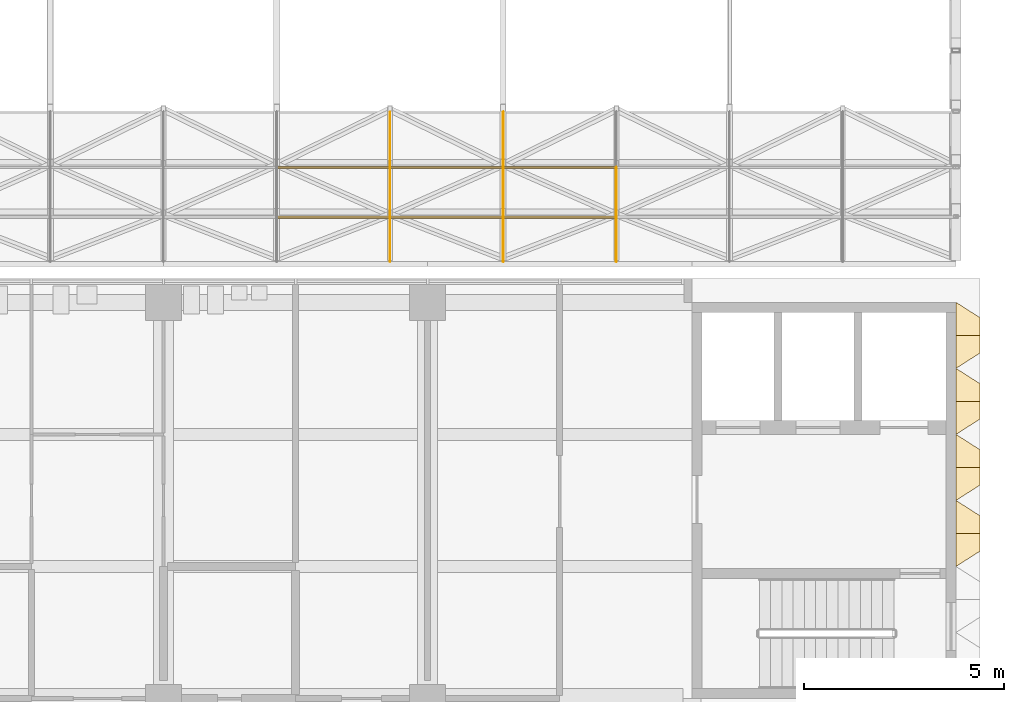
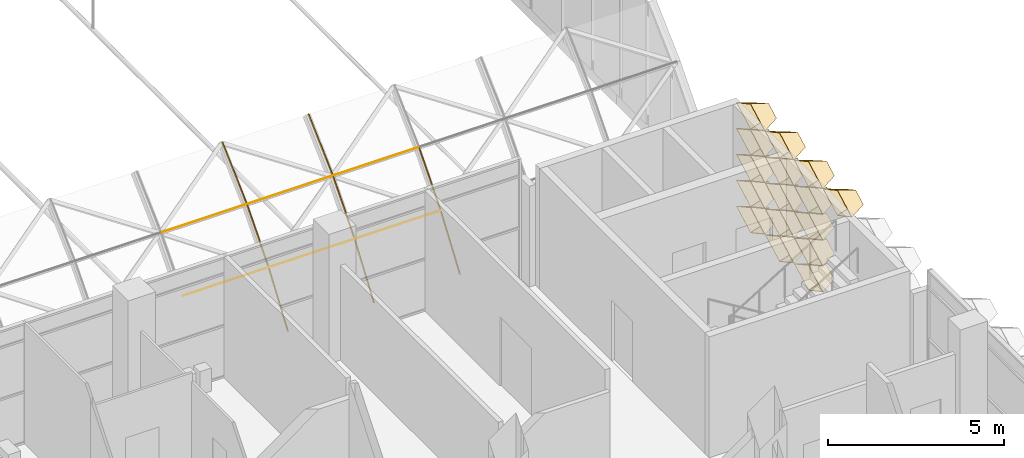
# One storey, part 83 of 109: 30 coverings.
"""IFC4 building model written with IfcOpenShell, lengths in metres."""

import ifcopenshell
import ifcopenshell.guid

model = None  # the IFC model being written
_history = None  # IfcOwnerHistory: only IFC2X3 demands one
_inside = {}  # id of a spatial element -> (the spatial element, [elements in it])
_under = {}  # id of a project, library or spatial element -> (it, [spatial elements below it])
_declared = {}  # id of a project -> (the project, [libraries it declares])
_typed = {}  # id of a type object -> (the type object, [elements of that type])
_made_of = {}  # id of a material, layer set ... -> (it, [elements and type objects made of it])


def new_model(schema):
    """Start an empty IFC model of exactly this schema.

    Asked for "IFC4X3", IfcOpenShell would pick the latest addendum, in which some entities
    have other attributes; the version numbers below select the first issue.
    IFC2X3 requires an IfcOwnerHistory on every rooted entity: one is made here for all.
    """
    global model, _history
    if schema == "IFC4X3":
        model = ifcopenshell.file(schema_version=(4, 3, 0, 0))
    else:
        model = ifcopenshell.file(schema=schema)
    _inside.clear()
    _under.clear()
    _declared.clear()
    _typed.clear()
    _made_of.clear()
    _history = None
    if model.schema == "IFC2X3":
        org = make("IfcOrganization", Name="unknown")
        user = make(
            "IfcPersonAndOrganization",
            ThePerson=make("IfcPerson", FamilyName="unknown"),
            TheOrganization=org,
        )
        app = make(
            "IfcApplication",
            ApplicationDeveloper=org,
            Version="unknown",
            ApplicationFullName="unknown",
            ApplicationIdentifier="unknown",
        )
        _history = make(
            "IfcOwnerHistory",
            OwningUser=user,
            OwningApplication=app,
            ChangeAction="ADDED",
            CreationDate=0,
        )
    return model


def make(cls, **values):
    """One entity of the class cls with the attributes given. An attribute that is None is left unset."""
    return model.create_entity(
        cls, **{name: value for name, value in values.items() if value is not None}
    )


def entity(cls, *values):
    """Any entity or typed value of the class cls, its attributes in the order of the schema. None: left unset."""
    e = model.create_entity(cls)
    for i, value in enumerate(values):
        if value is not None:
            e[i] = value
    return e


def rooted(cls, **values):
    """An entity with a GlobalId (a new one), such as an element, a storey or a relation."""
    return make(cls, GlobalId=ifcopenshell.guid.new(), OwnerHistory=_history, **values)


def si_unit(unit_type, name, prefix=None):
    """IfcSIUnit, for example si_unit("LENGTHUNIT", "METRE", prefix="MILLI")."""
    return make("IfcSIUnit", UnitType=unit_type, Prefix=prefix, Name=name)


def assignment(units):
    """IfcUnitAssignment: the units of a project."""
    return None if units is None else make("IfcUnitAssignment", Units=units)


def point(xyz):
    """IfcCartesianPoint."""
    return None if xyz is None else make("IfcCartesianPoint", Coordinates=xyz)


def direction(xyz):
    """IfcDirection."""
    return None if xyz is None else make("IfcDirection", DirectionRatios=xyz)


def frame(location, z_axis=None, x_axis=None):
    """IfcAxis2Placement3D, a coordinate frame: its origin and axes. An axis left out is left unset."""
    return make(
        "IfcAxis2Placement3D",
        Location=point(location),
        Axis=direction(z_axis),
        RefDirection=direction(x_axis),
    )


def frame_2d(location, x_axis=None):
    """IfcAxis2Placement2D, a coordinate frame in the plane: its origin and x axis."""
    return make(
        "IfcAxis2Placement2D", Location=point(location), RefDirection=direction(x_axis)
    )


def origin():
    """The frame at (0, 0, 0) with its axes left unset."""
    return frame((0.0, 0.0, 0.0))


def origin_2d():
    """The frame at (0, 0) in the plane with its x axis left unset."""
    return frame_2d((0.0, 0.0))


def place(relative_to, where):
    """IfcLocalPlacement: puts the frame where relative to a parent placement (None: the world)."""
    return make(
        "IfcLocalPlacement", PlacementRelTo=relative_to, RelativePlacement=where
    )


def context(
    kind, dimensions, precision=None, world=None, true_north=None, identifier=None
):
    """IfcGeometricRepresentationContext, for example the 3D "Model" context."""
    return make(
        "IfcGeometricRepresentationContext",
        ContextIdentifier=identifier,
        ContextType=kind,
        CoordinateSpaceDimension=dimensions,
        Precision=precision,
        WorldCoordinateSystem=world,
        TrueNorth=true_north,
    )


def subcontext(parent, identifier, kind, view, scale=None):
    """IfcGeometricRepresentationSubContext, for example "Body" below "Model"."""
    return make(
        "IfcGeometricRepresentationSubContext",
        ContextIdentifier=identifier,
        ContextType=kind,
        ParentContext=parent,
        TargetScale=scale,
        TargetView=view,
    )


def project(units=None, contexts=None):
    """IfcProject with its units and contexts."""
    return rooted(
        "IfcProject",
        Name="project",
        RepresentationContexts=contexts,
        UnitsInContext=assignment(units),
    )


def spatial(cls, under=None, at=None, **own):
    """A site, building, storey or space (cls), placed at a placement, below another one or the project."""
    s = rooted(cls, ObjectPlacement=at, **own)
    if under is not None:
        _under.setdefault(under.id(), (under, []))[1].append(s)
    return s


def profile(cls, at=None, kind="AREA", **sizes):
    """A parametric profile (cls). Its sizes go by their IFC names, for example OverallWidth=200.0."""
    return make(cls, ProfileType=kind, Position=at, **sizes)


def rectangle(**sizes):
    """IfcRectangleProfileDef."""
    return profile("IfcRectangleProfileDef", **sizes)


def extrude(swept, where, along, depth):
    """IfcExtrudedAreaSolid: the profile swept, set in the frame where, extruded along a direction by depth."""
    return make(
        "IfcExtrudedAreaSolid",
        SweptArea=swept,
        Position=where,
        ExtrudedDirection=direction(along),
        Depth=depth,
    )


def shape(context_of_items, identifier, shape_type, items):
    """IfcShapeRepresentation: the items that make up one representation, for example the "Body"."""
    return make(
        "IfcShapeRepresentation",
        ContextOfItems=context_of_items,
        RepresentationIdentifier=identifier,
        RepresentationType=shape_type,
        Items=items,
    )


def material(Name=None, Category=None):
    """IfcMaterial."""
    return make("IfcMaterial", Name=Name, Category=Category)


def layer(
    of_material, thickness, ventilated=None, Name=None, Category=None, Priority=None
):
    """IfcMaterialLayer: one layer of a wall or slab, of a material (None: an air gap)."""
    return make(
        "IfcMaterialLayer",
        Material=of_material,
        LayerThickness=thickness,
        IsVentilated=ventilated,
        Name=Name,
        Category=Category,
        Priority=Priority,
    )


def layer_set(layers, Name=None):
    """IfcMaterialLayerSet."""
    return make("IfcMaterialLayerSet", MaterialLayers=layers, LayerSetName=Name)


def material_profile(
    of_material, cross_section, Name=None, Category=None, Priority=None
):
    """IfcMaterialProfile: a cross section and its material."""
    return make(
        "IfcMaterialProfile",
        Name=Name,
        Material=of_material,
        Profile=cross_section,
        Priority=Priority,
        Category=Category,
    )


def profile_set(profiles, Name=None, composite=None):
    """IfcMaterialProfileSet."""
    return make(
        "IfcMaterialProfileSet",
        Name=Name,
        MaterialProfiles=profiles,
        CompositeProfile=composite,
    )


def made_of(thing, what):
    """Note that an element or type object is made of a material, layer set ...; save() writes the relation."""
    if what is not None:
        _made_of.setdefault(what.id(), (what, []))[1].append(thing)
    return thing


def type_object(cls, material=None, **own):
    """A type object (cls), such as IfcWallType, which elements share."""
    return made_of(rooted(cls, **own), material)


def element(
    cls,
    number,
    at=None,
    inside=None,
    cuts=None,
    type_object=None,
    material=None,
    context=None,
    identifier="Body",
    shape_type=None,
    held_by="IfcProductDefinitionShape",
    body=None,
    shapes=None,
    **own,
):
    """One element of the class cls, such as IfcWall. Its Tag is "e" and its number.

    at: its placement. inside: the storey or other place that contains it. cuts: it is an
    opening in that element (IfcRelVoidsElement). A single representation is given by context,
    identifier, shape_type and body (its items); several are given by shapes. held_by: the class
    of the entity that holds the representations. save() writes the other relations.
    """
    e = rooted(cls, Tag="e%d" % number, ObjectPlacement=at, **own)
    if body is not None:
        shapes = [shape(context, identifier, shape_type, body)]
    if shapes is not None:
        e.Representation = make(held_by, Representations=shapes)
    if inside is not None:
        _inside.setdefault(inside.id(), (inside, []))[1].append(e)
    if cuts is not None:
        rooted(
            "IfcRelVoidsElement", RelatingBuildingElement=cuts, RelatedOpeningElement=e
        )
    if type_object is not None:
        _typed.setdefault(type_object.id(), (type_object, []))[1].append(e)
    return made_of(e, material)


def aggregate(whole, parts):
    """IfcRelAggregates: a whole, such as a stair, and the parts it consists of."""
    return rooted("IfcRelAggregates", RelatingObject=whole, RelatedObjects=parts)


def save(model, path):
    """Write the relations noted so far, then the file.

    IfcRelAggregates (storeys below a building ...), IfcRelContainedInSpatialStructure (elements
    in a storey), IfcRelDefinesByType, IfcRelAssociatesMaterial and IfcRelDeclares: one each for
    every whole, place, type object, material and project.
    """
    for whole, parts in _under.values():
        aggregate(whole, parts)
    for where, things in _inside.values():
        rooted(
            "IfcRelContainedInSpatialStructure",
            RelatedElements=things,
            RelatingStructure=where,
        )
    for kind, things in _typed.values():
        rooted("IfcRelDefinesByType", RelatedObjects=things, RelatingType=kind)
    for what, things in _made_of.values():
        rooted("IfcRelAssociatesMaterial", RelatedObjects=things, RelatingMaterial=what)
    for by, libraries in _declared.values():
        rooted("IfcRelDeclares", RelatingContext=by, RelatedDefinitions=libraries)
    model.write(path)


model = new_model("IFC4")

# Units and contexts
model_context = context("Model", 3, precision=1e-05, world=origin(), true_north=direction((0.0, 1.0)))
body_context = subcontext(model_context, "Body", "Model", "MODEL_VIEW")
ifc_project = project(units=[si_unit("LENGTHUNIT", "METRE"), si_unit("AREAUNIT", "SQUARE_METRE"), si_unit("VOLUMEUNIT", "CUBIC_METRE"), si_unit("PLANEANGLEUNIT", "RADIAN"), si_unit("MASSUNIT", "GRAM", prefix="KILO")], contexts=[model_context])

# Site, building, storey
site_placement = place(None, origin())
site = spatial("IfcSite", under=ifc_project, at=site_placement, CompositionType="ELEMENT")
building_placement = place(site_placement, origin())
building = spatial("IfcBuilding", under=site, at=building_placement, Name="Lantern Court Research Institute", CompositionType="ELEMENT")
storey_placement = place(building_placement, frame((0.0, 0.0, 14.39990234375)))
storey = spatial("IfcBuildingStorey", under=building, at=storey_placement, Name="L03", CompositionType="ELEMENT", Elevation=14.39990234375)

# Coverings
ifc_material_1 = material(Name="Anodised aluminium", Category="aluminium")
ifc_layer = layer(ifc_material_1, 0.01611328125)
ifc_layer_set = layer_set([ifc_layer], Name="Anodised aluminium")
covering_type_1 = type_object("IfcCoveringType", Name="Fin cassette 1650 x 900 x 600 aluminium", PredefinedType="CLADDING", material=ifc_layer_set)
covering_1_placement = place(storey_placement, frame((79.199951171875, 18.97509765625, 0.4501953125), z_axis=(1.0, 0.0, 0.0), x_axis=(0.0, 1.0, 0.0)))
cartesian_point_1 = entity("IfcCartesianPoint", [0.824951171875, 0.0])
cartesian_point_2 = entity("IfcCartesianPoint", [0.79150390625, 0.0])
cartesian_point_3 = entity("IfcCartesianPoint", [0.44189453125, 0.0])
cartesian_point_4 = entity("IfcCartesianPoint", [0.43359375, 0.0])
element("IfcCovering", 1, at=covering_1_placement, inside=storey, type_object=covering_type_1, Name="Fin cassette V5E-L03 1.12", PredefinedType="CLADDING", context=body_context, shape_type="SweptSolid", body=[
    entity("IfcExtrudedAreaSolidTapered", entity("IfcArbitraryProfileDefWithVoids", "AREA", None, entity("IfcPolyline", [cartesian_point_1, entity("IfcCartesianPoint", [0.0, 0.449951171875]), entity("IfcCartesianPoint", [-0.824951171875, 0.0]), entity("IfcCartesianPoint", [0.0, -0.449951171875]), cartesian_point_1]), [entity("IfcPolyline", [cartesian_point_2, entity("IfcCartesianPoint", [0.0, 0.431884765625]), entity("IfcCartesianPoint", [-0.79150390625, 0.0]), entity("IfcCartesianPoint", [0.0, -0.431884765625]), cartesian_point_2])]), entity("IfcAxis2Placement3D", entity("IfcCartesianPoint", [0.0, 0.0, 0.0])), entity("IfcDirection", [0.0, 0.0, 1.0]), 0.60009765625, entity("IfcArbitraryProfileDefWithVoids", "AREA", None, entity("IfcPolyline", [cartesian_point_3, entity("IfcCartesianPoint", [0.0, 0.240966796875]), entity("IfcCartesianPoint", [-0.44189453125, 0.0]), entity("IfcCartesianPoint", [0.0, -0.240966796875]), cartesian_point_3]), [entity("IfcPolyline", [cartesian_point_4, entity("IfcCartesianPoint", [0.0, 0.236572265625]), entity("IfcCartesianPoint", [-0.43359375, 0.0]), entity("IfcCartesianPoint", [0.0, -0.236572265625]), cartesian_point_4])])),
])
covering_2_placement = place(storey_placement, frame((79.199951171875, 20.625, 0.4501953125), z_axis=(1.0, 0.0, 0.0), x_axis=(0.0, 1.0, 0.0)))
cartesian_point_5 = entity("IfcCartesianPoint", [0.824951171875, 0.0])
cartesian_point_6 = entity("IfcCartesianPoint", [0.79150390625, 0.0])
cartesian_point_7 = entity("IfcCartesianPoint", [0.44189453125, 0.0])
cartesian_point_8 = entity("IfcCartesianPoint", [0.43359375, 0.0])
element("IfcCovering", 2, at=covering_2_placement, inside=storey, type_object=covering_type_1, Name="Fin cassette V5E-L03 1.13", PredefinedType="CLADDING", context=body_context, shape_type="SweptSolid", body=[
    entity("IfcExtrudedAreaSolidTapered", entity("IfcArbitraryProfileDefWithVoids", "AREA", None, entity("IfcPolyline", [cartesian_point_5, entity("IfcCartesianPoint", [0.0, 0.449951171875]), entity("IfcCartesianPoint", [-0.824951171875, 0.0]), entity("IfcCartesianPoint", [0.0, -0.449951171875]), cartesian_point_5]), [entity("IfcPolyline", [cartesian_point_6, entity("IfcCartesianPoint", [0.0, 0.431884765625]), entity("IfcCartesianPoint", [-0.79150390625, 0.0]), entity("IfcCartesianPoint", [0.0, -0.431884765625]), cartesian_point_6])]), entity("IfcAxis2Placement3D", entity("IfcCartesianPoint", [0.0, 0.0, 0.0])), entity("IfcDirection", [0.0, 0.0, 1.0]), 0.60009765625, entity("IfcArbitraryProfileDefWithVoids", "AREA", None, entity("IfcPolyline", [cartesian_point_7, entity("IfcCartesianPoint", [0.0, 0.240966796875]), entity("IfcCartesianPoint", [-0.44189453125, 0.0]), entity("IfcCartesianPoint", [0.0, -0.240966796875]), cartesian_point_7]), [entity("IfcPolyline", [cartesian_point_8, entity("IfcCartesianPoint", [0.0, 0.236572265625]), entity("IfcCartesianPoint", [-0.43359375, 0.0]), entity("IfcCartesianPoint", [0.0, -0.236572265625]), cartesian_point_8])])),
])
covering_3_placement = place(storey_placement, frame((79.199951171875, 22.27490234375, 0.4501953125), z_axis=(1.0, 0.0, 0.0), x_axis=(0.0, 1.0, 0.0)))
cartesian_point_9 = entity("IfcCartesianPoint", [0.824951171875, 0.0])
cartesian_point_10 = entity("IfcCartesianPoint", [0.79150390625, 0.0])
cartesian_point_11 = entity("IfcCartesianPoint", [0.44189453125, 0.0])
cartesian_point_12 = entity("IfcCartesianPoint", [0.43359375, 0.0])
element("IfcCovering", 3, at=covering_3_placement, inside=storey, type_object=covering_type_1, Name="Fin cassette V5E-L03 1.14", PredefinedType="CLADDING", context=body_context, shape_type="SweptSolid", body=[
    entity("IfcExtrudedAreaSolidTapered", entity("IfcArbitraryProfileDefWithVoids", "AREA", None, entity("IfcPolyline", [cartesian_point_9, entity("IfcCartesianPoint", [0.0, 0.449951171875]), entity("IfcCartesianPoint", [-0.824951171875, 0.0]), entity("IfcCartesianPoint", [0.0, -0.449951171875]), cartesian_point_9]), [entity("IfcPolyline", [cartesian_point_10, entity("IfcCartesianPoint", [0.0, 0.431884765625]), entity("IfcCartesianPoint", [-0.79150390625, 0.0]), entity("IfcCartesianPoint", [0.0, -0.431884765625]), cartesian_point_10])]), entity("IfcAxis2Placement3D", entity("IfcCartesianPoint", [0.0, 0.0, 0.0])), entity("IfcDirection", [0.0, 0.0, 1.0]), 0.60009765625, entity("IfcArbitraryProfileDefWithVoids", "AREA", None, entity("IfcPolyline", [cartesian_point_11, entity("IfcCartesianPoint", [0.0, 0.240966796875]), entity("IfcCartesianPoint", [-0.44189453125, 0.0]), entity("IfcCartesianPoint", [0.0, -0.240966796875]), cartesian_point_11]), [entity("IfcPolyline", [cartesian_point_12, entity("IfcCartesianPoint", [0.0, 0.236572265625]), entity("IfcCartesianPoint", [-0.43359375, 0.0]), entity("IfcCartesianPoint", [0.0, -0.236572265625]), cartesian_point_12])])),
])
covering_4_placement = place(storey_placement, frame((79.199951171875, 18.97509765625, 1.35009765625), z_axis=(1.0, 0.0, 0.0), x_axis=(0.0, 1.0, 0.0)))
cartesian_point_13 = entity("IfcCartesianPoint", [0.824951171875, 0.0])
cartesian_point_14 = entity("IfcCartesianPoint", [0.79150390625, 0.0])
cartesian_point_15 = entity("IfcCartesianPoint", [0.44189453125, 0.0])
cartesian_point_16 = entity("IfcCartesianPoint", [0.43359375, 0.0])
element("IfcCovering", 4, at=covering_4_placement, inside=storey, type_object=covering_type_1, Name="Fin cassette V5E-L03 2.12", PredefinedType="CLADDING", context=body_context, shape_type="SweptSolid", body=[
    entity("IfcExtrudedAreaSolidTapered", entity("IfcArbitraryProfileDefWithVoids", "AREA", None, entity("IfcPolyline", [cartesian_point_13, entity("IfcCartesianPoint", [0.0, 0.449951171875]), entity("IfcCartesianPoint", [-0.824951171875, 0.0]), entity("IfcCartesianPoint", [0.0, -0.449951171875]), cartesian_point_13]), [entity("IfcPolyline", [cartesian_point_14, entity("IfcCartesianPoint", [0.0, 0.431884765625]), entity("IfcCartesianPoint", [-0.79150390625, 0.0]), entity("IfcCartesianPoint", [0.0, -0.431884765625]), cartesian_point_14])]), entity("IfcAxis2Placement3D", entity("IfcCartesianPoint", [0.0, 0.0, 0.0])), entity("IfcDirection", [0.0, 0.0, 1.0]), 0.60009765625, entity("IfcArbitraryProfileDefWithVoids", "AREA", None, entity("IfcPolyline", [cartesian_point_15, entity("IfcCartesianPoint", [0.0, 0.240966796875]), entity("IfcCartesianPoint", [-0.44189453125, 0.0]), entity("IfcCartesianPoint", [0.0, -0.240966796875]), cartesian_point_15]), [entity("IfcPolyline", [cartesian_point_16, entity("IfcCartesianPoint", [0.0, 0.236572265625]), entity("IfcCartesianPoint", [-0.43359375, 0.0]), entity("IfcCartesianPoint", [0.0, -0.236572265625]), cartesian_point_16])])),
])
covering_5_placement = place(storey_placement, frame((79.199951171875, 20.625, 1.35009765625), z_axis=(1.0, 0.0, 0.0), x_axis=(0.0, 1.0, 0.0)))
cartesian_point_17 = entity("IfcCartesianPoint", [0.824951171875, 0.0])
cartesian_point_18 = entity("IfcCartesianPoint", [0.79150390625, 0.0])
cartesian_point_19 = entity("IfcCartesianPoint", [0.44189453125, 0.0])
cartesian_point_20 = entity("IfcCartesianPoint", [0.43359375, 0.0])
element("IfcCovering", 5, at=covering_5_placement, inside=storey, type_object=covering_type_1, Name="Fin cassette V5E-L03 2.13", PredefinedType="CLADDING", context=body_context, shape_type="SweptSolid", body=[
    entity("IfcExtrudedAreaSolidTapered", entity("IfcArbitraryProfileDefWithVoids", "AREA", None, entity("IfcPolyline", [cartesian_point_17, entity("IfcCartesianPoint", [0.0, 0.449951171875]), entity("IfcCartesianPoint", [-0.824951171875, 0.0]), entity("IfcCartesianPoint", [0.0, -0.449951171875]), cartesian_point_17]), [entity("IfcPolyline", [cartesian_point_18, entity("IfcCartesianPoint", [0.0, 0.431884765625]), entity("IfcCartesianPoint", [-0.79150390625, 0.0]), entity("IfcCartesianPoint", [0.0, -0.431884765625]), cartesian_point_18])]), entity("IfcAxis2Placement3D", entity("IfcCartesianPoint", [0.0, 0.0, 0.0])), entity("IfcDirection", [0.0, 0.0, 1.0]), 0.60009765625, entity("IfcArbitraryProfileDefWithVoids", "AREA", None, entity("IfcPolyline", [cartesian_point_19, entity("IfcCartesianPoint", [0.0, 0.240966796875]), entity("IfcCartesianPoint", [-0.44189453125, 0.0]), entity("IfcCartesianPoint", [0.0, -0.240966796875]), cartesian_point_19]), [entity("IfcPolyline", [cartesian_point_20, entity("IfcCartesianPoint", [0.0, 0.236572265625]), entity("IfcCartesianPoint", [-0.43359375, 0.0]), entity("IfcCartesianPoint", [0.0, -0.236572265625]), cartesian_point_20])])),
])
covering_6_placement = place(storey_placement, frame((79.199951171875, 22.27490234375, 1.35009765625), z_axis=(1.0, 0.0, 0.0), x_axis=(0.0, 1.0, 0.0)))
cartesian_point_21 = entity("IfcCartesianPoint", [0.824951171875, 0.0])
cartesian_point_22 = entity("IfcCartesianPoint", [0.79150390625, 0.0])
cartesian_point_23 = entity("IfcCartesianPoint", [0.44189453125, 0.0])
cartesian_point_24 = entity("IfcCartesianPoint", [0.43359375, 0.0])
element("IfcCovering", 6, at=covering_6_placement, inside=storey, type_object=covering_type_1, Name="Fin cassette V5E-L03 2.14", PredefinedType="CLADDING", context=body_context, shape_type="SweptSolid", body=[
    entity("IfcExtrudedAreaSolidTapered", entity("IfcArbitraryProfileDefWithVoids", "AREA", None, entity("IfcPolyline", [cartesian_point_21, entity("IfcCartesianPoint", [0.0, 0.449951171875]), entity("IfcCartesianPoint", [-0.824951171875, 0.0]), entity("IfcCartesianPoint", [0.0, -0.449951171875]), cartesian_point_21]), [entity("IfcPolyline", [cartesian_point_22, entity("IfcCartesianPoint", [0.0, 0.431884765625]), entity("IfcCartesianPoint", [-0.79150390625, 0.0]), entity("IfcCartesianPoint", [0.0, -0.431884765625]), cartesian_point_22])]), entity("IfcAxis2Placement3D", entity("IfcCartesianPoint", [0.0, 0.0, 0.0])), entity("IfcDirection", [0.0, 0.0, 1.0]), 0.60009765625, entity("IfcArbitraryProfileDefWithVoids", "AREA", None, entity("IfcPolyline", [cartesian_point_23, entity("IfcCartesianPoint", [0.0, 0.240966796875]), entity("IfcCartesianPoint", [-0.44189453125, 0.0]), entity("IfcCartesianPoint", [0.0, -0.240966796875]), cartesian_point_23]), [entity("IfcPolyline", [cartesian_point_24, entity("IfcCartesianPoint", [0.0, 0.236572265625]), entity("IfcCartesianPoint", [-0.43359375, 0.0]), entity("IfcCartesianPoint", [0.0, -0.236572265625]), cartesian_point_24])])),
])
covering_7_placement = place(storey_placement, frame((79.199951171875, 18.97509765625, 2.25), z_axis=(1.0, 0.0, 0.0), x_axis=(0.0, 1.0, 0.0)))
cartesian_point_25 = entity("IfcCartesianPoint", [0.824951171875, 0.0])
cartesian_point_26 = entity("IfcCartesianPoint", [0.79150390625, 0.0])
cartesian_point_27 = entity("IfcCartesianPoint", [0.44189453125, 0.0])
cartesian_point_28 = entity("IfcCartesianPoint", [0.43359375, 0.0])
element("IfcCovering", 7, at=covering_7_placement, inside=storey, type_object=covering_type_1, Name="Fin cassette V5E-L03 3.12", PredefinedType="CLADDING", context=body_context, shape_type="SweptSolid", body=[
    entity("IfcExtrudedAreaSolidTapered", entity("IfcArbitraryProfileDefWithVoids", "AREA", None, entity("IfcPolyline", [cartesian_point_25, entity("IfcCartesianPoint", [0.0, 0.449951171875]), entity("IfcCartesianPoint", [-0.824951171875, 0.0]), entity("IfcCartesianPoint", [0.0, -0.449951171875]), cartesian_point_25]), [entity("IfcPolyline", [cartesian_point_26, entity("IfcCartesianPoint", [0.0, 0.431884765625]), entity("IfcCartesianPoint", [-0.79150390625, 0.0]), entity("IfcCartesianPoint", [0.0, -0.431884765625]), cartesian_point_26])]), entity("IfcAxis2Placement3D", entity("IfcCartesianPoint", [0.0, 0.0, 0.0])), entity("IfcDirection", [0.0, 0.0, 1.0]), 0.60009765625, entity("IfcArbitraryProfileDefWithVoids", "AREA", None, entity("IfcPolyline", [cartesian_point_27, entity("IfcCartesianPoint", [0.0, 0.240966796875]), entity("IfcCartesianPoint", [-0.44189453125, 0.0]), entity("IfcCartesianPoint", [0.0, -0.240966796875]), cartesian_point_27]), [entity("IfcPolyline", [cartesian_point_28, entity("IfcCartesianPoint", [0.0, 0.236572265625]), entity("IfcCartesianPoint", [-0.43359375, 0.0]), entity("IfcCartesianPoint", [0.0, -0.236572265625]), cartesian_point_28])])),
])
covering_8_placement = place(storey_placement, frame((79.199951171875, 20.625, 2.25), z_axis=(1.0, 0.0, 0.0), x_axis=(0.0, 1.0, 0.0)))
cartesian_point_29 = entity("IfcCartesianPoint", [0.824951171875, 0.0])
cartesian_point_30 = entity("IfcCartesianPoint", [0.79150390625, 0.0])
cartesian_point_31 = entity("IfcCartesianPoint", [0.44189453125, 0.0])
cartesian_point_32 = entity("IfcCartesianPoint", [0.43359375, 0.0])
element("IfcCovering", 8, at=covering_8_placement, inside=storey, type_object=covering_type_1, Name="Fin cassette V5E-L03 3.13", PredefinedType="CLADDING", context=body_context, shape_type="SweptSolid", body=[
    entity("IfcExtrudedAreaSolidTapered", entity("IfcArbitraryProfileDefWithVoids", "AREA", None, entity("IfcPolyline", [cartesian_point_29, entity("IfcCartesianPoint", [0.0, 0.449951171875]), entity("IfcCartesianPoint", [-0.824951171875, 0.0]), entity("IfcCartesianPoint", [0.0, -0.449951171875]), cartesian_point_29]), [entity("IfcPolyline", [cartesian_point_30, entity("IfcCartesianPoint", [0.0, 0.431884765625]), entity("IfcCartesianPoint", [-0.79150390625, 0.0]), entity("IfcCartesianPoint", [0.0, -0.431884765625]), cartesian_point_30])]), entity("IfcAxis2Placement3D", entity("IfcCartesianPoint", [0.0, 0.0, 0.0])), entity("IfcDirection", [0.0, 0.0, 1.0]), 0.60009765625, entity("IfcArbitraryProfileDefWithVoids", "AREA", None, entity("IfcPolyline", [cartesian_point_31, entity("IfcCartesianPoint", [0.0, 0.240966796875]), entity("IfcCartesianPoint", [-0.44189453125, 0.0]), entity("IfcCartesianPoint", [0.0, -0.240966796875]), cartesian_point_31]), [entity("IfcPolyline", [cartesian_point_32, entity("IfcCartesianPoint", [0.0, 0.236572265625]), entity("IfcCartesianPoint", [-0.43359375, 0.0]), entity("IfcCartesianPoint", [0.0, -0.236572265625]), cartesian_point_32])])),
])
covering_9_placement = place(storey_placement, frame((79.199951171875, 22.27490234375, 2.25), z_axis=(1.0, 0.0, 0.0), x_axis=(0.0, 1.0, 0.0)))
cartesian_point_33 = entity("IfcCartesianPoint", [0.824951171875, 0.0])
cartesian_point_34 = entity("IfcCartesianPoint", [0.79150390625, 0.0])
cartesian_point_35 = entity("IfcCartesianPoint", [0.44189453125, 0.0])
cartesian_point_36 = entity("IfcCartesianPoint", [0.43359375, 0.0])
element("IfcCovering", 9, at=covering_9_placement, inside=storey, type_object=covering_type_1, Name="Fin cassette V5E-L03 3.14", PredefinedType="CLADDING", context=body_context, shape_type="SweptSolid", body=[
    entity("IfcExtrudedAreaSolidTapered", entity("IfcArbitraryProfileDefWithVoids", "AREA", None, entity("IfcPolyline", [cartesian_point_33, entity("IfcCartesianPoint", [0.0, 0.449951171875]), entity("IfcCartesianPoint", [-0.824951171875, 0.0]), entity("IfcCartesianPoint", [0.0, -0.449951171875]), cartesian_point_33]), [entity("IfcPolyline", [cartesian_point_34, entity("IfcCartesianPoint", [0.0, 0.431884765625]), entity("IfcCartesianPoint", [-0.79150390625, 0.0]), entity("IfcCartesianPoint", [0.0, -0.431884765625]), cartesian_point_34])]), entity("IfcAxis2Placement3D", entity("IfcCartesianPoint", [0.0, 0.0, 0.0])), entity("IfcDirection", [0.0, 0.0, 1.0]), 0.60009765625, entity("IfcArbitraryProfileDefWithVoids", "AREA", None, entity("IfcPolyline", [cartesian_point_35, entity("IfcCartesianPoint", [0.0, 0.240966796875]), entity("IfcCartesianPoint", [-0.44189453125, 0.0]), entity("IfcCartesianPoint", [0.0, -0.240966796875]), cartesian_point_35]), [entity("IfcPolyline", [cartesian_point_36, entity("IfcCartesianPoint", [0.0, 0.236572265625]), entity("IfcCartesianPoint", [-0.43359375, 0.0]), entity("IfcCartesianPoint", [0.0, -0.236572265625]), cartesian_point_36])])),
])
covering_10_placement = place(storey_placement, frame((79.199951171875, 18.97509765625, 3.150146484375), z_axis=(1.0, 0.0, 0.0), x_axis=(0.0, 1.0, 0.0)))
cartesian_point_37 = entity("IfcCartesianPoint", [0.824951171875, 0.0])
cartesian_point_38 = entity("IfcCartesianPoint", [0.79150390625, 0.0])
cartesian_point_39 = entity("IfcCartesianPoint", [0.44189453125, 0.0])
cartesian_point_40 = entity("IfcCartesianPoint", [0.43359375, 0.0])
element("IfcCovering", 10, at=covering_10_placement, inside=storey, type_object=covering_type_1, Name="Fin cassette V5E-L03 4.12", PredefinedType="CLADDING", context=body_context, shape_type="SweptSolid", body=[
    entity("IfcExtrudedAreaSolidTapered", entity("IfcArbitraryProfileDefWithVoids", "AREA", None, entity("IfcPolyline", [cartesian_point_37, entity("IfcCartesianPoint", [0.0, 0.449951171875]), entity("IfcCartesianPoint", [-0.824951171875, 0.0]), entity("IfcCartesianPoint", [0.0, -0.449951171875]), cartesian_point_37]), [entity("IfcPolyline", [cartesian_point_38, entity("IfcCartesianPoint", [0.0, 0.431884765625]), entity("IfcCartesianPoint", [-0.79150390625, 0.0]), entity("IfcCartesianPoint", [0.0, -0.431884765625]), cartesian_point_38])]), entity("IfcAxis2Placement3D", entity("IfcCartesianPoint", [0.0, 0.0, 0.0])), entity("IfcDirection", [0.0, 0.0, 1.0]), 0.60009765625, entity("IfcArbitraryProfileDefWithVoids", "AREA", None, entity("IfcPolyline", [cartesian_point_39, entity("IfcCartesianPoint", [0.0, 0.240966796875]), entity("IfcCartesianPoint", [-0.44189453125, 0.0]), entity("IfcCartesianPoint", [0.0, -0.240966796875]), cartesian_point_39]), [entity("IfcPolyline", [cartesian_point_40, entity("IfcCartesianPoint", [0.0, 0.236572265625]), entity("IfcCartesianPoint", [-0.43359375, 0.0]), entity("IfcCartesianPoint", [0.0, -0.236572265625]), cartesian_point_40])])),
])
covering_11_placement = place(storey_placement, frame((79.199951171875, 20.625, 3.150146484375), z_axis=(1.0, 0.0, 0.0), x_axis=(0.0, 1.0, 0.0)))
cartesian_point_41 = entity("IfcCartesianPoint", [0.824951171875, 0.0])
cartesian_point_42 = entity("IfcCartesianPoint", [0.79150390625, 0.0])
cartesian_point_43 = entity("IfcCartesianPoint", [0.44189453125, 0.0])
cartesian_point_44 = entity("IfcCartesianPoint", [0.43359375, 0.0])
element("IfcCovering", 11, at=covering_11_placement, inside=storey, type_object=covering_type_1, Name="Fin cassette V5E-L03 4.13", PredefinedType="CLADDING", context=body_context, shape_type="SweptSolid", body=[
    entity("IfcExtrudedAreaSolidTapered", entity("IfcArbitraryProfileDefWithVoids", "AREA", None, entity("IfcPolyline", [cartesian_point_41, entity("IfcCartesianPoint", [0.0, 0.449951171875]), entity("IfcCartesianPoint", [-0.824951171875, 0.0]), entity("IfcCartesianPoint", [0.0, -0.449951171875]), cartesian_point_41]), [entity("IfcPolyline", [cartesian_point_42, entity("IfcCartesianPoint", [0.0, 0.431884765625]), entity("IfcCartesianPoint", [-0.79150390625, 0.0]), entity("IfcCartesianPoint", [0.0, -0.431884765625]), cartesian_point_42])]), entity("IfcAxis2Placement3D", entity("IfcCartesianPoint", [0.0, 0.0, 0.0])), entity("IfcDirection", [0.0, 0.0, 1.0]), 0.60009765625, entity("IfcArbitraryProfileDefWithVoids", "AREA", None, entity("IfcPolyline", [cartesian_point_43, entity("IfcCartesianPoint", [0.0, 0.240966796875]), entity("IfcCartesianPoint", [-0.44189453125, 0.0]), entity("IfcCartesianPoint", [0.0, -0.240966796875]), cartesian_point_43]), [entity("IfcPolyline", [cartesian_point_44, entity("IfcCartesianPoint", [0.0, 0.236572265625]), entity("IfcCartesianPoint", [-0.43359375, 0.0]), entity("IfcCartesianPoint", [0.0, -0.236572265625]), cartesian_point_44])])),
])
covering_12_placement = place(storey_placement, frame((79.199951171875, 22.27490234375, 3.150146484375), z_axis=(1.0, 0.0, 0.0), x_axis=(0.0, 1.0, 0.0)))
cartesian_point_45 = entity("IfcCartesianPoint", [0.824951171875, 0.0])
cartesian_point_46 = entity("IfcCartesianPoint", [0.79150390625, 0.0])
cartesian_point_47 = entity("IfcCartesianPoint", [0.44189453125, 0.0])
cartesian_point_48 = entity("IfcCartesianPoint", [0.43359375, 0.0])
element("IfcCovering", 12, at=covering_12_placement, inside=storey, type_object=covering_type_1, Name="Fin cassette V5E-L03 4.14", PredefinedType="CLADDING", context=body_context, shape_type="SweptSolid", body=[
    entity("IfcExtrudedAreaSolidTapered", entity("IfcArbitraryProfileDefWithVoids", "AREA", None, entity("IfcPolyline", [cartesian_point_45, entity("IfcCartesianPoint", [0.0, 0.449951171875]), entity("IfcCartesianPoint", [-0.824951171875, 0.0]), entity("IfcCartesianPoint", [0.0, -0.449951171875]), cartesian_point_45]), [entity("IfcPolyline", [cartesian_point_46, entity("IfcCartesianPoint", [0.0, 0.431884765625]), entity("IfcCartesianPoint", [-0.79150390625, 0.0]), entity("IfcCartesianPoint", [0.0, -0.431884765625]), cartesian_point_46])]), entity("IfcAxis2Placement3D", entity("IfcCartesianPoint", [0.0, 0.0, 0.0])), entity("IfcDirection", [0.0, 0.0, 1.0]), 0.60009765625, entity("IfcArbitraryProfileDefWithVoids", "AREA", None, entity("IfcPolyline", [cartesian_point_47, entity("IfcCartesianPoint", [0.0, 0.240966796875]), entity("IfcCartesianPoint", [-0.44189453125, 0.0]), entity("IfcCartesianPoint", [0.0, -0.240966796875]), cartesian_point_47]), [entity("IfcPolyline", [cartesian_point_48, entity("IfcCartesianPoint", [0.0, 0.236572265625]), entity("IfcCartesianPoint", [-0.43359375, 0.0]), entity("IfcCartesianPoint", [0.0, -0.236572265625]), cartesian_point_48])])),
])
covering_13_placement = place(storey_placement, frame((79.199951171875, 17.324951171875, 4.050048828125), z_axis=(1.0, 0.0, 0.0), x_axis=(0.0, 1.0, 0.0)))
cartesian_point_49 = entity("IfcCartesianPoint", [0.824951171875, 0.0])
cartesian_point_50 = entity("IfcCartesianPoint", [0.79150390625, 0.0])
cartesian_point_51 = entity("IfcCartesianPoint", [0.44189453125, 0.0])
cartesian_point_52 = entity("IfcCartesianPoint", [0.43359375, 0.0])
element("IfcCovering", 13, at=covering_13_placement, inside=storey, type_object=covering_type_1, Name="Fin cassette V5E-L03 5.11", PredefinedType="CLADDING", context=body_context, shape_type="SweptSolid", body=[
    entity("IfcExtrudedAreaSolidTapered", entity("IfcArbitraryProfileDefWithVoids", "AREA", None, entity("IfcPolyline", [cartesian_point_49, entity("IfcCartesianPoint", [0.0, 0.449951171875]), entity("IfcCartesianPoint", [-0.824951171875, 0.0]), entity("IfcCartesianPoint", [0.0, -0.449951171875]), cartesian_point_49]), [entity("IfcPolyline", [cartesian_point_50, entity("IfcCartesianPoint", [0.0, 0.431884765625]), entity("IfcCartesianPoint", [-0.79150390625, 0.0]), entity("IfcCartesianPoint", [0.0, -0.431884765625]), cartesian_point_50])]), entity("IfcAxis2Placement3D", entity("IfcCartesianPoint", [0.0, 0.0, 0.0])), entity("IfcDirection", [0.0, 0.0, 1.0]), 0.60009765625, entity("IfcArbitraryProfileDefWithVoids", "AREA", None, entity("IfcPolyline", [cartesian_point_51, entity("IfcCartesianPoint", [0.0, 0.240966796875]), entity("IfcCartesianPoint", [-0.44189453125, 0.0]), entity("IfcCartesianPoint", [0.0, -0.240966796875]), cartesian_point_51]), [entity("IfcPolyline", [cartesian_point_52, entity("IfcCartesianPoint", [0.0, 0.236572265625]), entity("IfcCartesianPoint", [-0.43359375, 0.0]), entity("IfcCartesianPoint", [0.0, -0.236572265625]), cartesian_point_52])])),
])
covering_14_placement = place(storey_placement, frame((79.199951171875, 18.97509765625, 4.050048828125), z_axis=(1.0, 0.0, 0.0), x_axis=(0.0, 1.0, 0.0)))
cartesian_point_53 = entity("IfcCartesianPoint", [0.824951171875, 0.0])
cartesian_point_54 = entity("IfcCartesianPoint", [0.79150390625, 0.0])
cartesian_point_55 = entity("IfcCartesianPoint", [0.44189453125, 0.0])
cartesian_point_56 = entity("IfcCartesianPoint", [0.43359375, 0.0])
element("IfcCovering", 14, at=covering_14_placement, inside=storey, type_object=covering_type_1, Name="Fin cassette V5E-L03 5.12", PredefinedType="CLADDING", context=body_context, shape_type="SweptSolid", body=[
    entity("IfcExtrudedAreaSolidTapered", entity("IfcArbitraryProfileDefWithVoids", "AREA", None, entity("IfcPolyline", [cartesian_point_53, entity("IfcCartesianPoint", [0.0, 0.449951171875]), entity("IfcCartesianPoint", [-0.824951171875, 0.0]), entity("IfcCartesianPoint", [0.0, -0.449951171875]), cartesian_point_53]), [entity("IfcPolyline", [cartesian_point_54, entity("IfcCartesianPoint", [0.0, 0.431884765625]), entity("IfcCartesianPoint", [-0.79150390625, 0.0]), entity("IfcCartesianPoint", [0.0, -0.431884765625]), cartesian_point_54])]), entity("IfcAxis2Placement3D", entity("IfcCartesianPoint", [0.0, 0.0, 0.0])), entity("IfcDirection", [0.0, 0.0, 1.0]), 0.60009765625, entity("IfcArbitraryProfileDefWithVoids", "AREA", None, entity("IfcPolyline", [cartesian_point_55, entity("IfcCartesianPoint", [0.0, 0.240966796875]), entity("IfcCartesianPoint", [-0.44189453125, 0.0]), entity("IfcCartesianPoint", [0.0, -0.240966796875]), cartesian_point_55]), [entity("IfcPolyline", [cartesian_point_56, entity("IfcCartesianPoint", [0.0, 0.236572265625]), entity("IfcCartesianPoint", [-0.43359375, 0.0]), entity("IfcCartesianPoint", [0.0, -0.236572265625]), cartesian_point_56])])),
])
covering_15_placement = place(storey_placement, frame((79.199951171875, 20.625, 4.050048828125), z_axis=(1.0, 0.0, 0.0), x_axis=(0.0, 1.0, 0.0)))
cartesian_point_57 = entity("IfcCartesianPoint", [0.824951171875, 0.0])
cartesian_point_58 = entity("IfcCartesianPoint", [0.79150390625, 0.0])
cartesian_point_59 = entity("IfcCartesianPoint", [0.44189453125, 0.0])
cartesian_point_60 = entity("IfcCartesianPoint", [0.43359375, 0.0])
element("IfcCovering", 15, at=covering_15_placement, inside=storey, type_object=covering_type_1, Name="Fin cassette V5E-L03 5.13", PredefinedType="CLADDING", context=body_context, shape_type="SweptSolid", body=[
    entity("IfcExtrudedAreaSolidTapered", entity("IfcArbitraryProfileDefWithVoids", "AREA", None, entity("IfcPolyline", [cartesian_point_57, entity("IfcCartesianPoint", [0.0, 0.449951171875]), entity("IfcCartesianPoint", [-0.824951171875, 0.0]), entity("IfcCartesianPoint", [0.0, -0.449951171875]), cartesian_point_57]), [entity("IfcPolyline", [cartesian_point_58, entity("IfcCartesianPoint", [0.0, 0.431884765625]), entity("IfcCartesianPoint", [-0.79150390625, 0.0]), entity("IfcCartesianPoint", [0.0, -0.431884765625]), cartesian_point_58])]), entity("IfcAxis2Placement3D", entity("IfcCartesianPoint", [0.0, 0.0, 0.0])), entity("IfcDirection", [0.0, 0.0, 1.0]), 0.60009765625, entity("IfcArbitraryProfileDefWithVoids", "AREA", None, entity("IfcPolyline", [cartesian_point_59, entity("IfcCartesianPoint", [0.0, 0.240966796875]), entity("IfcCartesianPoint", [-0.44189453125, 0.0]), entity("IfcCartesianPoint", [0.0, -0.240966796875]), cartesian_point_59]), [entity("IfcPolyline", [cartesian_point_60, entity("IfcCartesianPoint", [0.0, 0.236572265625]), entity("IfcCartesianPoint", [-0.43359375, 0.0]), entity("IfcCartesianPoint", [0.0, -0.236572265625]), cartesian_point_60])])),
])
covering_16_placement = place(storey_placement, frame((79.199951171875, 22.27490234375, 4.050048828125), z_axis=(1.0, 0.0, 0.0), x_axis=(0.0, 1.0, 0.0)))
cartesian_point_61 = entity("IfcCartesianPoint", [0.824951171875, 0.0])
cartesian_point_62 = entity("IfcCartesianPoint", [0.79150390625, 0.0])
cartesian_point_63 = entity("IfcCartesianPoint", [0.44189453125, 0.0])
cartesian_point_64 = entity("IfcCartesianPoint", [0.43359375, 0.0])
element("IfcCovering", 16, at=covering_16_placement, inside=storey, type_object=covering_type_1, Name="Fin cassette V5E-L03 5.14", PredefinedType="CLADDING", context=body_context, shape_type="SweptSolid", body=[
    entity("IfcExtrudedAreaSolidTapered", entity("IfcArbitraryProfileDefWithVoids", "AREA", None, entity("IfcPolyline", [cartesian_point_61, entity("IfcCartesianPoint", [0.0, 0.449951171875]), entity("IfcCartesianPoint", [-0.824951171875, 0.0]), entity("IfcCartesianPoint", [0.0, -0.449951171875]), cartesian_point_61]), [entity("IfcPolyline", [cartesian_point_62, entity("IfcCartesianPoint", [0.0, 0.431884765625]), entity("IfcCartesianPoint", [-0.79150390625, 0.0]), entity("IfcCartesianPoint", [0.0, -0.431884765625]), cartesian_point_62])]), entity("IfcAxis2Placement3D", entity("IfcCartesianPoint", [0.0, 0.0, 0.0])), entity("IfcDirection", [0.0, 0.0, 1.0]), 0.60009765625, entity("IfcArbitraryProfileDefWithVoids", "AREA", None, entity("IfcPolyline", [cartesian_point_63, entity("IfcCartesianPoint", [0.0, 0.240966796875]), entity("IfcCartesianPoint", [-0.44189453125, 0.0]), entity("IfcCartesianPoint", [0.0, -0.240966796875]), cartesian_point_63]), [entity("IfcPolyline", [cartesian_point_64, entity("IfcCartesianPoint", [0.0, 0.236572265625]), entity("IfcCartesianPoint", [-0.43359375, 0.0]), entity("IfcCartesianPoint", [0.0, -0.236572265625]), cartesian_point_64])])),
])
ifc_material_2 = material(Name="Aluminium alloy 6063-T6", Category="aluminium")
ifc_material_profile = material_profile(ifc_material_2, rectangle(XDim=0.01806640625, YDim=0.052001953125, at=origin_2d()), Name="Joint cover bar 18 x 52")
ifc_profile_set = profile_set([ifc_material_profile], Name="Aluminium alloy 6063-T6")
covering_type_2 = type_object("IfcCoveringType", Name="Joint cover bar 18 x 52", PredefinedType="MOLDING", material=ifc_profile_set)
for number, where, z_axis, x_axis, name in (
    (17, (62.238525390625, 25.225830078125, 1.970947265625), (1.0, 0.0, 0.0), (0.0, 0.616657332959, 0.787231689979), "Joint cover bar"),
    (18, (62.238525390625, 26.474609375, 3.40966796875), (1.0, 0.0, 0.0), (0.0, 0.692674230917, 0.721250587399), "Joint cover bar"),
):
    element("IfcCovering", number, at=place(storey_placement, frame(where, z_axis=z_axis, x_axis=x_axis)), inside=storey, type_object=covering_type_2, Name=name, PredefinedType="MOLDING", context=body_context, shape_type="SweptSolid", body=[
        extrude(rectangle(XDim=0.01806640625, YDim=0.052001953125, at=origin_2d()), origin(), (0.0, 0.0, 1.0), 2.80859375),
    ])
for number, where, z_axis, x_axis, name in (
    (19, (65.05712890625, 24.128662109375, 0.4150390625), (0.0, 0.576275057404, 0.817255809532), (-1.0, 0.0, 0.0), "Joint cover bar"),
    (20, (65.05712890625, 25.2265625, 1.971923828125), (0.0, 0.655492193344, 0.755201949458), (-1.0, 0.0, 0.0), "Joint cover bar"),
):
    element("IfcCovering", number, at=place(storey_placement, frame(where, z_axis=z_axis, x_axis=x_axis)), inside=storey, type_object=covering_type_2, Name=name, PredefinedType="MOLDING", context=body_context, shape_type="SweptSolid", body=[
        extrude(rectangle(XDim=0.01806640625, YDim=0.052001953125, at=origin_2d()), origin(), (0.0, 0.0, 1.0), 1.902587890625),
    ])
covering_17_placement = place(storey_placement, frame((65.067138671875, 25.225830078125, 1.970947265625), z_axis=(1.0, 0.0, 0.0), x_axis=(0.0, 0.616657332959, 0.787231689979)))
element("IfcCovering", 21, at=covering_17_placement, inside=storey, type_object=covering_type_2, Name="Joint cover bar", PredefinedType="MOLDING", context=body_context, shape_type="SweptSolid", body=[
    extrude(rectangle(XDim=0.01806640625, YDim=0.052001953125, at=origin_2d()), origin(), (0.0, 0.0, 1.0), 2.80859375),
])
covering_18_placement = place(storey_placement, frame((65.05712890625, 26.4755859375, 3.41064453125), z_axis=(0.0, 0.728090715138, 0.685480787864), x_axis=(-1.0, 0.0, 0.0)))
element("IfcCovering", 22, at=covering_18_placement, inside=storey, type_object=covering_type_2, Name="Joint cover bar", PredefinedType="MOLDING", context=body_context, shape_type="SweptSolid", body=[
    extrude(rectangle(XDim=0.01806640625, YDim=0.052001953125, at=origin_2d()), origin(), (0.0, 0.0, 1.0), 1.90234375),
])
covering_19_placement = place(storey_placement, frame((65.067138671875, 26.474609375, 3.40966796875), z_axis=(1.0, 0.0, 0.0), x_axis=(0.0, 0.692674230917, 0.721250587399)))
element("IfcCovering", 23, at=covering_19_placement, inside=storey, type_object=covering_type_2, Name="Joint cover bar", PredefinedType="MOLDING", context=body_context, shape_type="SweptSolid", body=[
    extrude(rectangle(XDim=0.01806640625, YDim=0.052001953125, at=origin_2d()), origin(), (0.0, 0.0, 1.0), 2.80859375),
])
for number, where, z_axis, x_axis, name in (
    (24, (67.8857421875, 24.128662109375, 0.4150390625), (0.0, 0.576275057404, 0.817255809532), (-1.0, 0.0, 0.0), "Joint cover bar"),
    (25, (67.8857421875, 25.2265625, 1.971923828125), (0.0, 0.655492193344, 0.755201949458), (-1.0, 0.0, 0.0), "Joint cover bar"),
):
    element("IfcCovering", number, at=place(storey_placement, frame(where, z_axis=z_axis, x_axis=x_axis)), inside=storey, type_object=covering_type_2, Name=name, PredefinedType="MOLDING", context=body_context, shape_type="SweptSolid", body=[
        extrude(rectangle(XDim=0.01806640625, YDim=0.052001953125, at=origin_2d()), origin(), (0.0, 0.0, 1.0), 1.902587890625),
    ])
covering_20_placement = place(storey_placement, frame((67.895751953125, 25.225830078125, 1.970947265625), z_axis=(1.0, 0.0, 0.0), x_axis=(0.0, 0.616657332959, 0.787231689979)))
element("IfcCovering", 26, at=covering_20_placement, inside=storey, type_object=covering_type_2, Name="Joint cover bar", PredefinedType="MOLDING", context=body_context, shape_type="SweptSolid", body=[
    extrude(rectangle(XDim=0.01806640625, YDim=0.052001953125, at=origin_2d()), origin(), (0.0, 0.0, 1.0), 2.80859375),
])
covering_21_placement = place(storey_placement, frame((67.8857421875, 26.4755859375, 3.41064453125), z_axis=(0.0, 0.728090715138, 0.685480787864), x_axis=(-1.0, 0.0, 0.0)))
element("IfcCovering", 27, at=covering_21_placement, inside=storey, type_object=covering_type_2, Name="Joint cover bar", PredefinedType="MOLDING", context=body_context, shape_type="SweptSolid", body=[
    extrude(rectangle(XDim=0.01806640625, YDim=0.052001953125, at=origin_2d()), origin(), (0.0, 0.0, 1.0), 1.90234375),
])
covering_22_placement = place(storey_placement, frame((67.895751953125, 26.474609375, 3.40966796875), z_axis=(1.0, 0.0, 0.0), x_axis=(0.0, 0.692674230917, 0.721250587399)))
element("IfcCovering", 28, at=covering_22_placement, inside=storey, type_object=covering_type_2, Name="Joint cover bar", PredefinedType="MOLDING", context=body_context, shape_type="SweptSolid", body=[
    extrude(rectangle(XDim=0.01806640625, YDim=0.052001953125, at=origin_2d()), origin(), (0.0, 0.0, 1.0), 2.80859375),
])
for number, where, z_axis, x_axis, name in (
    (29, (70.71435546875, 24.128662109375, 0.4150390625), (0.0, 0.576275057404, 0.817255809532), (-1.0, 0.0, 0.0), "Joint cover bar"),
    (30, (70.71435546875, 25.2265625, 1.971923828125), (0.0, 0.655492193344, 0.755201949458), (-1.0, 0.0, 0.0), "Joint cover bar"),
):
    element("IfcCovering", number, at=place(storey_placement, frame(where, z_axis=z_axis, x_axis=x_axis)), inside=storey, type_object=covering_type_2, Name=name, PredefinedType="MOLDING", context=body_context, shape_type="SweptSolid", body=[
        extrude(rectangle(XDim=0.01806640625, YDim=0.052001953125, at=origin_2d()), origin(), (0.0, 0.0, 1.0), 1.902587890625),
    ])

save(model, "model.ifc")
